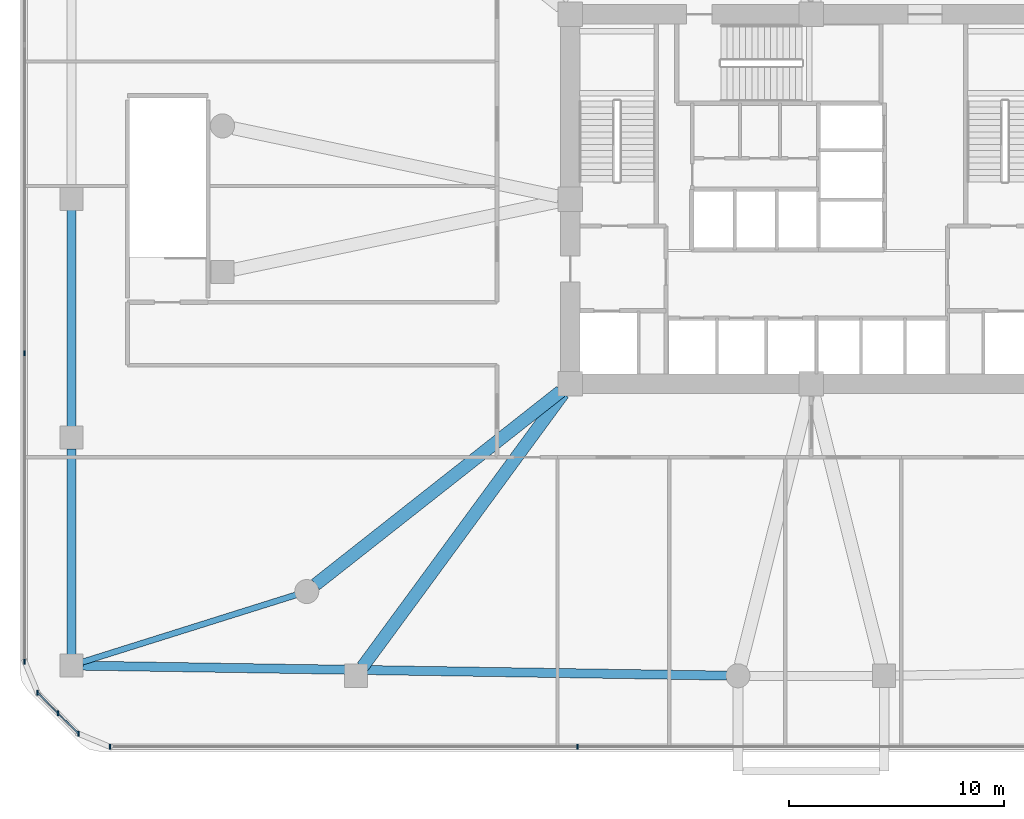
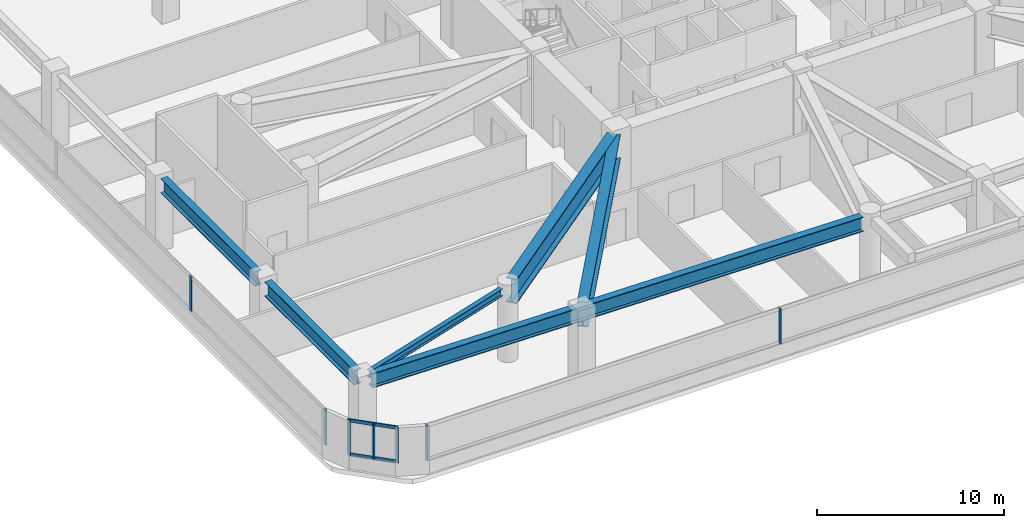
# One storey, part 2 of 21: 9 members, 6 beams, 3 elements without a shape of their own.
"""IFC4 building model written with IfcOpenShell, lengths in metres."""

from ifc_helpers import new_model, si_unit, derived_unit, direction, frame, origin, origin_2d, place, context, subcontext, project, spatial, rectangle, i_section, extrude, material, material_profile, profile_set, type_object, element, aggregate, save


model = new_model("IFC4")

# Units and contexts
model_context = context("Model", 3, precision=1e-05, world=origin(), true_north=direction((0.0, 1.0)))
body_context = subcontext(model_context, "Body", "Model", "MODEL_VIEW")
ifc_project = project(units=[si_unit("LENGTHUNIT", "METRE"), si_unit("AREAUNIT", "SQUARE_METRE"), si_unit("VOLUMEUNIT", "CUBIC_METRE"), si_unit("PLANEANGLEUNIT", "RADIAN"), si_unit("MASSUNIT", "GRAM", prefix="KILO"), derived_unit("THERMALTRANSMITTANCEUNIT", [(si_unit("POWERUNIT", "WATT"), 1), (si_unit("LENGTHUNIT", "METRE"), -2), (si_unit("THERMODYNAMICTEMPERATUREUNIT", "KELVIN"), -1)])], contexts=[model_context])

# Site, building, storey
site_placement = place(None, origin())
site = spatial("IfcSite", under=ifc_project, at=site_placement, CompositionType="ELEMENT")
building_placement = place(site_placement, origin())
building = spatial("IfcBuilding", under=site, at=building_placement, Name="Koralith Skygarden Medical Center", CompositionType="ELEMENT")
storey_placement = place(building_placement, frame((0.0, 0.0, 18.89990234375)))
storey = spatial("IfcBuildingStorey", under=building, at=storey_placement, Name="L04", CompositionType="ELEMENT", Elevation=18.89990234375)

# Curtain wall, members
ifc_material_1 = material(Name="Clear Laminated Glass", Category="glass")
curtain_wall_type = type_object("IfcCurtainWallType", Name="CW-1 Transit & Podium Acoustic Curtain Wall", PredefinedType="NOTDEFINED", material=ifc_material_1)
curtain_wall_1_placement = place(storey_placement, origin())
curtain_wall_1 = element("IfcCurtainWall", 1, at=curtain_wall_1_placement, inside=storey, type_object=curtain_wall_type, Name="Curtain Wall CW-L04-S", PredefinedType="NOTDEFINED")
ifc_material_2 = material(Name="Aluminium 6063-T6", Category="aluminium")
ifc_material_profile_1 = material_profile(ifc_material_2, rectangle(XDim=0.068115234375, YDim=0.239990234375, at=origin_2d()), Name="MUL68X240")
ifc_profile_set_1 = profile_set([ifc_material_profile_1], Name="Aluminium 6063-T6")
member_type_1 = type_object("IfcMemberType", Name="CW-1 Extruded Mullion 68x240", PredefinedType="MULLION", material=ifc_profile_set_1)
member_1_placement = place(storey_placement, frame((4.37890625, 0.419921875, 0.85009765625), z_axis=(0.0, 0.0, 1.0), x_axis=(1.0, 0.0, 0.0)))
member_1 = element("IfcMember", 2, at=member_1_placement, type_object=member_type_1, Name="CW-L04-S Mullion 1", PredefinedType="MULLION", context=body_context, shape_type="SweptSolid", body=[
    extrude(rectangle(XDim=0.068115234375, YDim=0.239990234375, at=origin_2d()), origin(), (0.0, 0.0, 1.0), 2.300048828125),
])
member_2_placement = place(storey_placement, frame((26.1259765625, 0.419921875, 0.85009765625), z_axis=(0.0, 0.0, 1.0), x_axis=(1.0, 0.0, 0.0)))
member_2 = element("IfcMember", 3, at=member_2_placement, type_object=member_type_1, Name="CW-L04-S Mullion 2", PredefinedType="MULLION", context=body_context, shape_type="SweptSolid", body=[
    extrude(rectangle(XDim=0.068115234375, YDim=0.239990234375, at=origin_2d()), origin(), (0.0, 0.0, 1.0), 2.300048828125),
])
aggregate(curtain_wall_1, [member_1, member_2])

curtain_wall_2_placement = place(storey_placement, origin())
curtain_wall_2 = element("IfcCurtainWall", 4, at=curtain_wall_2_placement, inside=storey, type_object=curtain_wall_type, Name="Curtain Wall CW-L04-W", PredefinedType="NOTDEFINED")
member_3_placement = place(storey_placement, frame((0.419921875, 18.72607421875, 0.85009765625), z_axis=(0.0, 0.0, 1.0), x_axis=(1.0, 0.0, 0.0)))
member_3 = element("IfcMember", 5, at=member_3_placement, type_object=member_type_1, Name="CW-L04-W Mullion 3", PredefinedType="MULLION", context=body_context, shape_type="SweptSolid", body=[
    extrude(rectangle(XDim=0.068115234375, YDim=0.239990234375, at=origin_2d()), origin(), (0.0, 0.0, 1.0), 2.300048828125),
])
member_4_placement = place(storey_placement, frame((0.419921875, 4.37890625, 0.85009765625), z_axis=(0.0, 0.0, 1.0), x_axis=(1.0, 0.0, 0.0)))
member_4 = element("IfcMember", 6, at=member_4_placement, type_object=member_type_1, Name="CW-L04-W Mullion 4", PredefinedType="MULLION", context=body_context, shape_type="SweptSolid", body=[
    extrude(rectangle(XDim=0.068115234375, YDim=0.239990234375, at=origin_2d()), origin(), (0.0, 0.0, 1.0), 2.300048828125),
])
aggregate(curtain_wall_2, [member_3, member_4])

curtain_wall_3_placement = place(storey_placement, origin())
curtain_wall_3 = element("IfcCurtainWall", 7, at=curtain_wall_3_placement, inside=storey, type_object=curtain_wall_type, Name="Curtain Wall CW-L04-SW", PredefinedType="NOTDEFINED")
member_5_placement = place(storey_placement, frame((1.02099609375, 2.927978515625, 0.85009765625), z_axis=(0.0, 0.0, 1.0), x_axis=(1.0, 0.0, 0.0)))
member_5 = element("IfcMember", 8, at=member_5_placement, type_object=member_type_1, Name="CW-L04-SW Mullion 1", PredefinedType="MULLION", context=body_context, shape_type="SweptSolid", body=[
    extrude(rectangle(XDim=0.068115234375, YDim=0.239990234375, at=origin_2d()), origin(), (0.0, 0.0, 1.0), 2.300048828125),
])
member_6_placement = place(storey_placement, frame((1.97412109375, 1.97412109375, 0.85009765625), z_axis=(0.0, 0.0, 1.0), x_axis=(1.0, 0.0, 0.0)))
member_6 = element("IfcMember", 9, at=member_6_placement, type_object=member_type_1, Name="CW-L04-SW Mullion 2", PredefinedType="MULLION", context=body_context, shape_type="SweptSolid", body=[
    extrude(rectangle(XDim=0.068115234375, YDim=0.239990234375, at=origin_2d()), origin(), (0.0, 0.0, 1.0), 2.300048828125),
])
member_7_placement = place(storey_placement, frame((2.927978515625, 1.02099609375, 0.85009765625), z_axis=(0.0, 0.0, 1.0), x_axis=(1.0, 0.0, 0.0)))
member_7 = element("IfcMember", 10, at=member_7_placement, type_object=member_type_1, Name="CW-L04-SW Mullion 3", PredefinedType="MULLION", context=body_context, shape_type="SweptSolid", body=[
    extrude(rectangle(XDim=0.068115234375, YDim=0.239990234375, at=origin_2d()), origin(), (0.0, 0.0, 1.0), 2.300048828125),
])
ifc_material_profile_2 = material_profile(ifc_material_2, rectangle(XDim=0.06298828125, YDim=0.216064453125, at=origin_2d()), Name="TRN63X216")
ifc_profile_set_2 = profile_set([ifc_material_profile_2], Name="Aluminium 6063-T6")
member_type_2 = type_object("IfcMemberType", Name="CW-1 Thermal Transom 63x216", PredefinedType="USERDEFINED", material=ifc_profile_set_2)
member_8_placement = place(storey_placement, frame((1.02099609375, 2.927978515625, 0.900146484375), z_axis=(0.707106781187, -0.707106781187, 0.0), x_axis=(0.707106781187, 0.707106781187, 0.0)))
member_8 = element("IfcMember", 11, at=member_8_placement, type_object=member_type_2, Name="CW-L04-SW Transom 1", ObjectType="TRANSOM", PredefinedType="USERDEFINED", context=body_context, shape_type="SweptSolid", body=[
    extrude(rectangle(XDim=0.06298828125, YDim=0.216064453125, at=origin_2d()), origin(), (0.0, 0.0, 1.0), 2.69677734375),
])
member_9_placement = place(storey_placement, frame((1.02099609375, 2.927978515625, 3.10009765625), z_axis=(0.707106781187, -0.707106781187, 0.0), x_axis=(0.707106781187, 0.707106781187, 0.0)))
member_9 = element("IfcMember", 12, at=member_9_placement, type_object=member_type_2, Name="CW-L04-SW Transom 2", ObjectType="TRANSOM", PredefinedType="USERDEFINED", context=body_context, shape_type="SweptSolid", body=[
    extrude(rectangle(XDim=0.06298828125, YDim=0.216064453125, at=origin_2d()), origin(), (0.0, 0.0, 1.0), 2.69677734375),
])
aggregate(curtain_wall_3, [member_5, member_6, member_7, member_8, member_9])

# Beams
ifc_material_3 = material(Name="Steel ASTM A992 Grade 50", Category="steel")
ifc_material_profile_3 = material_profile(ifc_material_3, i_section(OverallWidth=0.423095703125, OverallDepth=0.947998046875, WebThickness=0.02392578125, FlangeThickness=0.042724609375, at=origin_2d()), Name="W36X302")
ifc_profile_set_3 = profile_set([ifc_material_profile_3], Name="Steel ASTM A992 Grade 50")
beam_type_1 = type_object("IfcBeamType", Name="Podium Concourse Girder W36X302", PredefinedType="BEAM", material=ifc_profile_set_3)
beam_1_placement = place(storey_placement, frame((2.60009765625, 14.280029296875, 4.2861328125), z_axis=(0.0, -1.0, 0.0), x_axis=(1.0, 0.0, 0.0)))
element("IfcBeam", 13, at=beam_1_placement, inside=storey, type_object=beam_type_1, Name="L04 Podium Perimeter Beam PB-01", PredefinedType="BEAM", context=body_context, shape_type="SweptSolid", body=[
    extrude(i_section(OverallWidth=0.423095703125, OverallDepth=0.947998046875, WebThickness=0.02392578125, FlangeThickness=0.042724609375, at=origin_2d()), origin(), (0.0, 0.0, 1.0), 9.56005859375),
])
beam_2_placement = place(storey_placement, frame((3.1201171875, 4.19189453125, 4.2861328125), z_axis=(0.999880161393, -0.015481048165, 0.0), x_axis=(0.015481048165, 0.999880161393, 0.0)))
element("IfcBeam", 14, at=beam_2_placement, inside=storey, type_object=beam_type_1, Name="L04 Podium Perimeter Beam PB-02", PredefinedType="BEAM", context=body_context, shape_type="SweptSolid", body=[
    extrude(i_section(OverallWidth=0.423095703125, OverallDepth=0.947998046875, WebThickness=0.02392578125, FlangeThickness=0.042724609375, at=origin_2d()), origin(), (0.0, 0.0, 1.0), 29.963623046875),
])
beam_3_placement = place(storey_placement, frame((2.60009765625, 25.3798828125, 4.2861328125), z_axis=(0.0, -1.0, 0.0), x_axis=(1.0, 0.0, 0.0)))
element("IfcBeam", 15, at=beam_3_placement, inside=storey, type_object=beam_type_1, Name="L04 Podium Perimeter Beam PB-14", PredefinedType="BEAM", context=body_context, shape_type="SweptSolid", body=[
    extrude(i_section(OverallWidth=0.423095703125, OverallDepth=0.947998046875, WebThickness=0.02392578125, FlangeThickness=0.042724609375, at=origin_2d()), origin(), (0.0, 0.0, 1.0), 10.059814453125),
])
ifc_material_profile_4 = material_profile(ifc_material_3, i_section(OverallWidth=0.281982421875, OverallDepth=0.467041015625, WebThickness=0.01220703125, FlangeThickness=0.01953125, at=origin_2d()), Name="W18X86")
ifc_profile_set_4 = profile_set([ifc_material_profile_4], Name="Steel ASTM A992 Grade 50")
beam_type_2 = type_object("IfcBeamType", Name="Podium Floor Joist W18X86", PredefinedType="JOIST", material=ifc_profile_set_4)
beam_4_placement = place(storey_placement, frame((13.0439453125, 7.48388671875, 4.527099609375), z_axis=(-0.953954869198, -0.299950175084, 0.0), x_axis=(0.299950175084, -0.953954869198, 0.0)))
element("IfcBeam", 16, at=beam_4_placement, inside=storey, type_object=beam_type_2, Name="L04 Podium Floor Joist PJ-01", PredefinedType="JOIST", context=body_context, shape_type="SweptSolid", body=[
    extrude(i_section(OverallWidth=0.281982421875, OverallDepth=0.467041015625, WebThickness=0.01220703125, FlangeThickness=0.01953125, at=origin_2d()), origin(), (0.0, 0.0, 1.0), 10.42822265625),
])
ifc_material_profile_5 = material_profile(ifc_material_3, i_section(OverallWidth=0.60009765625, OverallDepth=1.60009765625, WebThickness=0.031982421875, FlangeThickness=0.06005859375, at=origin_2d()), Name="BG1600X600X60X32")
ifc_profile_set_5 = profile_set([ifc_material_profile_5], Name="Steel ASTM A992 Grade 50")
beam_type_3 = type_object("IfcBeamType", Name="Podium Transfer Girder BG1600", PredefinedType="USERDEFINED", material=ifc_profile_set_5)
beam_5_placement = place(storey_placement, frame((25.360107421875, 16.952880859375, 3.960205078125), z_axis=(-0.785504791859, -0.618855574401, 0.0), x_axis=(0.618855574401, -0.785504791859, 0.0)))
element("IfcBeam", 17, at=beam_5_placement, inside=storey, type_object=beam_type_3, Name="L04 Podium Radial Girder PRG-02", ObjectType="TRANSFER GIRDER", PredefinedType="USERDEFINED", context=body_context, shape_type="SweptSolid", body=[
    extrude(i_section(OverallWidth=0.60009765625, OverallDepth=1.60009765625, WebThickness=0.031982421875, FlangeThickness=0.06005859375, at=origin_2d()), origin(), (0.0, 0.0, 1.0), 14.5283203125),
])
beam_6_placement = place(storey_placement, frame((25.468994140625, 16.84912109375, 3.960205078125), z_axis=(-0.59170530555, -0.806154347122, 0.0), x_axis=(0.806154347122, -0.59170530555, 0.0)))
element("IfcBeam", 18, at=beam_6_placement, inside=storey, type_object=beam_type_3, Name="L04 Podium Radial Girder PRG-03", ObjectType="TRANSFER GIRDER", PredefinedType="USERDEFINED", context=body_context, shape_type="SweptSolid", body=[
    extrude(i_section(OverallWidth=0.60009765625, OverallDepth=1.60009765625, WebThickness=0.031982421875, FlangeThickness=0.06005859375, at=origin_2d()), origin(), (0.0, 0.0, 1.0), 15.766357421875),
])

save(model, "model.ifc")
